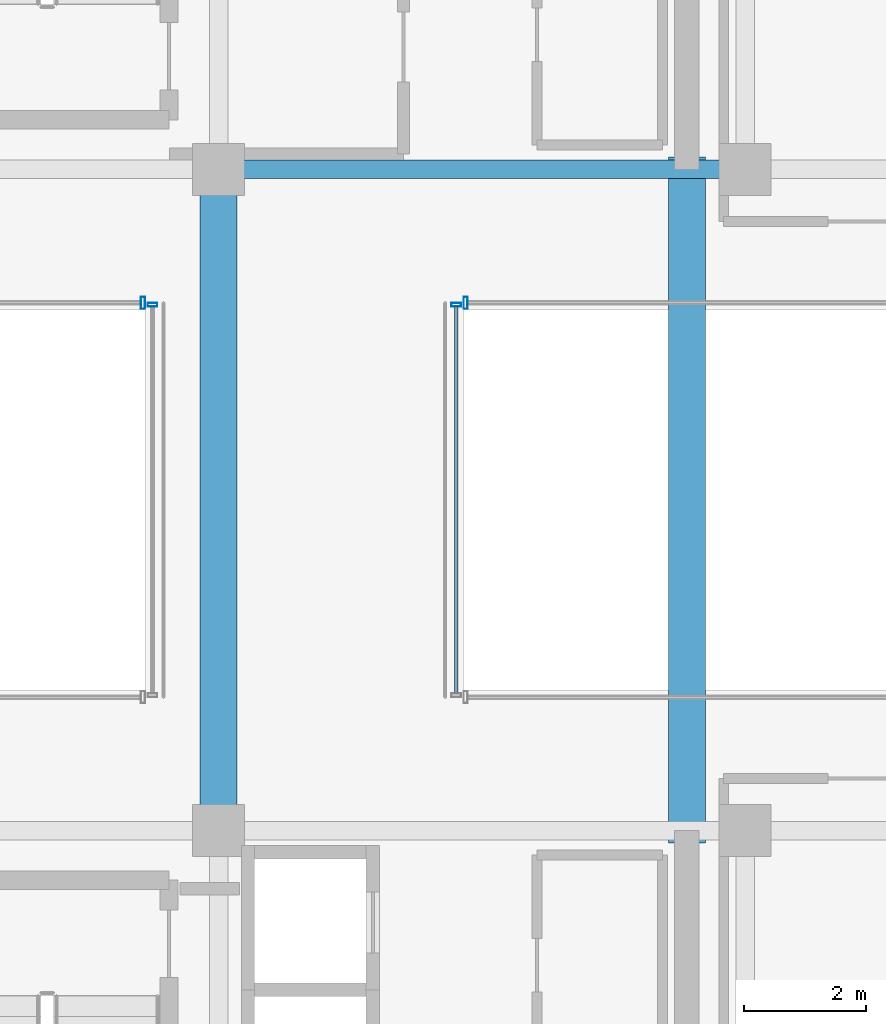
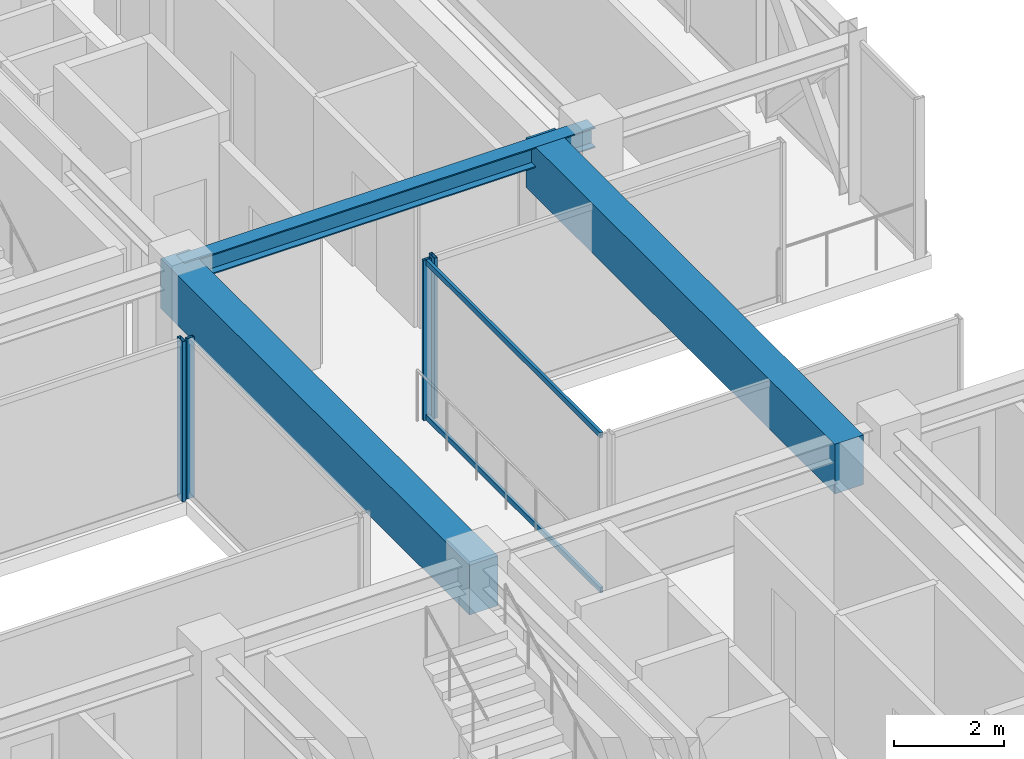
# One storey, part 19 of 37: 6 members, 3 beams, 4 elements without a shape of their own.
"""IFC4 building model written with IfcOpenShell, lengths in metres."""

from ifc_helpers import new_model, si_unit, direction, frame, origin, origin_2d, place, context, subcontext, project, spatial, rectangle, hollow_rectangle, i_section, extrude, source, transform, mapped, material, material_profile, profile_set, type_object, element, aggregate, save


model = new_model("IFC4")

# Units and contexts
model_context = context("Model", 3, precision=1e-05, world=origin(), true_north=direction((0.0, 1.0)))
body_context = subcontext(model_context, "Body", "Model", "MODEL_VIEW")
ifc_project = project(units=[si_unit("LENGTHUNIT", "METRE"), si_unit("AREAUNIT", "SQUARE_METRE"), si_unit("VOLUMEUNIT", "CUBIC_METRE"), si_unit("PLANEANGLEUNIT", "RADIAN"), si_unit("MASSUNIT", "GRAM", prefix="KILO")], contexts=[model_context])

# Site, building, storey
site_placement = place(None, origin())
site = spatial("IfcSite", under=ifc_project, at=site_placement, CompositionType="ELEMENT")
building_placement = place(site_placement, origin())
building = spatial("IfcBuilding", under=site, at=building_placement, Name="Nahalor Promenade Grand Hotel", CompositionType="ELEMENT")
storey_placement = place(building_placement, frame((0.0, 0.0, 292.64990234375)))
storey = spatial("IfcBuildingStorey", under=building, at=storey_placement, Name="L75", CompositionType="ELEMENT", Elevation=292.64990234375)

# Beams
ifc_material_1 = material(Name="Concrete B-60 (C50/60)", Category="concrete")
ifc_material_profile_1 = material_profile(ifc_material_1, rectangle(XDim=0.6, YDim=1.1, at=origin_2d()), Name="RC 600x1100")
ifc_profile_set_1 = profile_set([ifc_material_profile_1], Name="Concrete B-60 (C50/60)")
beam_type_1 = type_object("IfcBeamType", Name="Beam-Lintel-RC1100", PredefinedType="LINTEL", material=ifc_profile_set_1)
shared_shape_1 = source(origin(), body_context, "Body", "SweptSolid", [
    extrude(rectangle(XDim=0.6, YDim=1.1, at=origin_2d()), origin(), (0.0, 0.0, 1.0), 11.2001953125),
])
for number, where, z_axis, x_axis, name in (
    (1, (8.39990234375, -5.60009765625, 3.0), (0.0, 1.0, 0.0), (-1.0, 0.0, 0.0), "BM-L75-LINT-W"),
    (2, (16.050048828125, -5.60009765625, 3.0), (0.0, 1.0, 0.0), (-1.0, 0.0, 0.0), "BM-L75-LINT-E"),
):
    element("IfcBeam", number, at=place(storey_placement, frame(where, z_axis=z_axis, x_axis=x_axis)), inside=storey, type_object=beam_type_1, Name=name, PredefinedType="LINTEL", context=body_context, shape_type="MappedRepresentation", body=[
        mapped(shared_shape_1, transform((0.0, 0.0, 0.0), scale=1.0)),
    ])
ifc_material_2 = material(Name="Steel S355JR", Category="steel")
ifc_material_profile_2 = material_profile(ifc_material_2, i_section(OverallWidth=0.3, OverallDepth=0.45, WebThickness=0.014, FlangeThickness=0.026, at=origin_2d()), Name="HEB 450")
ifc_profile_set_2 = profile_set([ifc_material_profile_2], Name="Steel S355JR")
beam_type_2 = type_object("IfcBeamType", Name="Beam-Girder-HEB450", PredefinedType="BEAM", material=ifc_profile_set_2)
shared_shape_2 = source(origin(), body_context, "Body", "SweptSolid", [
    extrude(i_section(OverallWidth=0.3, OverallDepth=0.45, WebThickness=0.014, FlangeThickness=0.026, at=origin_2d()), origin(), (0.0, 0.0, 1.0), 8.60009765625),
])
beam_placement = place(storey_placement, frame((8.39990234375, 5.39990234375, 3.3251953125), z_axis=(1.0, 0.0, 0.0), x_axis=(0.0, 1.0, 0.0)))
element("IfcBeam", 3, at=beam_placement, inside=storey, type_object=beam_type_2, Name="BM-L75-GX-2-5", PredefinedType="BEAM", context=body_context, shape_type="MappedRepresentation", body=[
    mapped(shared_shape_2, transform((0.0, 0.0, 0.0), scale=1.0)),
])

# Curtain wall, members
ifc_material_3 = material(Name="Anodised Bronze Aluminium EN AW-6063 T6", Category="aluminium")
curtain_wall_type_1 = type_object("IfcCurtainWallType", Name="CW4 Low-Iron Sky-Gallery Bridge Curtain Wall", PredefinedType="USERDEFINED", material=ifc_material_3)
curtain_wall_1_placement = place(storey_placement, origin())
curtain_wall_1 = element("IfcCurtainWall", 4, at=curtain_wall_1_placement, inside=storey, type_object=curtain_wall_type_1, Name="L75 Curtain Wall CW-L75-BRG-E", ObjectType="UNITISED_CURTAIN_WALL", PredefinedType="USERDEFINED")
ifc_material_profile_3 = material_profile(ifc_material_3, hollow_rectangle(XDim=0.06, YDim=0.12, WallThickness=0.004, at=origin_2d()), Name="CWT 60x120x4")
ifc_profile_set_3 = profile_set([ifc_material_profile_3], Name="Anodised Bronze Aluminium EN AW-6063 T6")
member_type_1 = type_object("IfcMemberType", Name="CWT4 Sky-Gallery Slim Transom 60x120", PredefinedType="USERDEFINED", material=ifc_profile_set_3)
shared_shape_3 = source(origin(), body_context, "Body", "SweptSolid", [
    extrude(hollow_rectangle(XDim=0.06, YDim=0.12, WallThickness=0.004, at=origin_2d()), origin(), (0.0, 0.0, 1.0), 6.31982421875),
])
member_1_placement = place(storey_placement, frame((12.280029296875, -3.159912109375, 0.06005859375), z_axis=(0.0, 1.0, 0.0), x_axis=(-1.0, 0.0, 0.0)))
member_1 = element("IfcMember", 5, at=member_1_placement, type_object=member_type_1, Name="CW-L75-BRG-E Transom 0-0", ObjectType="TRANSOM", PredefinedType="USERDEFINED", context=body_context, shape_type="MappedRepresentation", body=[
    mapped(shared_shape_3, transform((0.0, 0.0, 0.0), scale=1.0)),
])
member_2_placement = place(storey_placement, frame((12.280029296875, -3.159912109375, 3.489990234375), z_axis=(0.0, 1.0, 0.0), x_axis=(-1.0, 0.0, 0.0)))
member_2 = element("IfcMember", 6, at=member_2_placement, type_object=member_type_1, Name="CW-L75-BRG-E Transom 0-1", ObjectType="TRANSOM", PredefinedType="USERDEFINED", context=body_context, shape_type="MappedRepresentation", body=[
    mapped(shared_shape_3, transform((0.0, 0.0, 0.0), scale=1.0)),
])

# Curtain wall, member
curtain_wall_type_2 = type_object("IfcCurtainWallType", Name="CW3 Elliptical-Void Collar Unitised Curtain Wall", PredefinedType="USERDEFINED", material=ifc_material_3)
curtain_wall_2_placement = place(storey_placement, origin())
curtain_wall_2 = element("IfcCurtainWall", 7, at=curtain_wall_2_placement, inside=storey, type_object=curtain_wall_type_2, Name="L75 Curtain Wall CW-L75-VOID-WN1", ObjectType="UNITISED_CURTAIN_WALL", PredefinedType="USERDEFINED")
ifc_material_profile_4 = material_profile(ifc_material_3, hollow_rectangle(XDim=0.07, YDim=0.2, WallThickness=0.005, at=origin_2d()), Name="CWM 70x200x5")
ifc_profile_set_4 = profile_set([ifc_material_profile_4], Name="Anodised Bronze Aluminium EN AW-6063 T6")
member_type_2 = type_object("IfcMemberType", Name="CWM3 Void Collar Mullion 70x200", PredefinedType="MULLION", material=ifc_profile_set_4)
shared_shape_4 = source(origin(), body_context, "Body", "SweptSolid", [
    extrude(hollow_rectangle(XDim=0.07, YDim=0.2, WallThickness=0.005, at=origin_2d()), origin(), (0.0, 0.0, 1.0), 3.550048828125),
])
member_3_placement = place(storey_placement, frame((7.1650390625, 3.219970703125, 0.0), z_axis=(0.0, 0.0, 1.0), x_axis=(1.0, 0.0, 0.0)))
member_3 = element("IfcMember", 8, at=member_3_placement, type_object=member_type_2, Name="CW-L75-VOID-WN1 Mullion 3", PredefinedType="MULLION", context=body_context, shape_type="MappedRepresentation", body=[
    mapped(shared_shape_4, transform((0.0, 0.0, 0.0), scale=1.0)),
])
aggregate(curtain_wall_2, [member_3])

curtain_wall_3_placement = place(storey_placement, origin())
curtain_wall_3 = element("IfcCurtainWall", 9, at=curtain_wall_3_placement, inside=storey, type_object=curtain_wall_type_2, Name="L75 Curtain Wall CW-L75-VOID-EN1", ObjectType="UNITISED_CURTAIN_WALL", PredefinedType="USERDEFINED")
member_4_placement = place(storey_placement, frame((12.43505859375, 3.219970703125, 0.0), z_axis=(0.0, 0.0, 1.0), x_axis=(1.0, 0.0, 0.0)))
member_4 = element("IfcMember", 10, at=member_4_placement, type_object=member_type_2, Name="CW-L75-VOID-EN1 Mullion 0", PredefinedType="MULLION", context=body_context, shape_type="MappedRepresentation", body=[
    mapped(shared_shape_4, transform((0.0, 0.0, 0.0), scale=1.0)),
])
aggregate(curtain_wall_3, [member_4])

curtain_wall_4_placement = place(storey_placement, origin())
curtain_wall_4 = element("IfcCurtainWall", 11, at=curtain_wall_4_placement, inside=storey, type_object=curtain_wall_type_1, Name="L75 Curtain Wall CW-L75-BRG-W", ObjectType="UNITISED_CURTAIN_WALL", PredefinedType="USERDEFINED")
ifc_material_profile_5 = material_profile(ifc_material_3, hollow_rectangle(XDim=0.06, YDim=0.16, WallThickness=0.004, at=origin_2d()), Name="CWM 60x160x4")
ifc_profile_set_5 = profile_set([ifc_material_profile_5], Name="Anodised Bronze Aluminium EN AW-6063 T6")
member_type_3 = type_object("IfcMemberType", Name="CWM4 Sky-Gallery Slim Mullion 60x160", PredefinedType="MULLION", material=ifc_profile_set_5)
shared_shape_5 = source(origin(), body_context, "Body", "SweptSolid", [
    extrude(hollow_rectangle(XDim=0.06, YDim=0.16, WallThickness=0.004, at=origin_2d()), origin(), (0.0, 0.0, 1.0), 3.550048828125),
])
member_5_placement = place(storey_placement, frame((7.320068359375, 3.18994140625, 0.0), z_axis=(0.0, 0.0, 1.0), x_axis=(0.0, 1.0, 0.0)))
member_5 = element("IfcMember", 12, at=member_5_placement, type_object=member_type_3, Name="CW-L75-BRG-W Mullion 1", PredefinedType="MULLION", context=body_context, shape_type="MappedRepresentation", body=[
    mapped(shared_shape_5, transform((0.0, 0.0, 0.0), scale=1.0)),
])
aggregate(curtain_wall_4, [member_5])

# Member
member_6_placement = place(storey_placement, frame((12.280029296875, 3.18994140625, 0.0), z_axis=(0.0, 0.0, 1.0), x_axis=(0.0, 1.0, 0.0)))
member_6 = element("IfcMember", 13, at=member_6_placement, type_object=member_type_3, Name="CW-L75-BRG-E Mullion 1", PredefinedType="MULLION", context=body_context, shape_type="MappedRepresentation", body=[
    mapped(shared_shape_5, transform((0.0, 0.0, 0.0), scale=1.0)),
])

aggregate(curtain_wall_1, [member_6, member_1, member_2])

save(model, "model.ifc")
